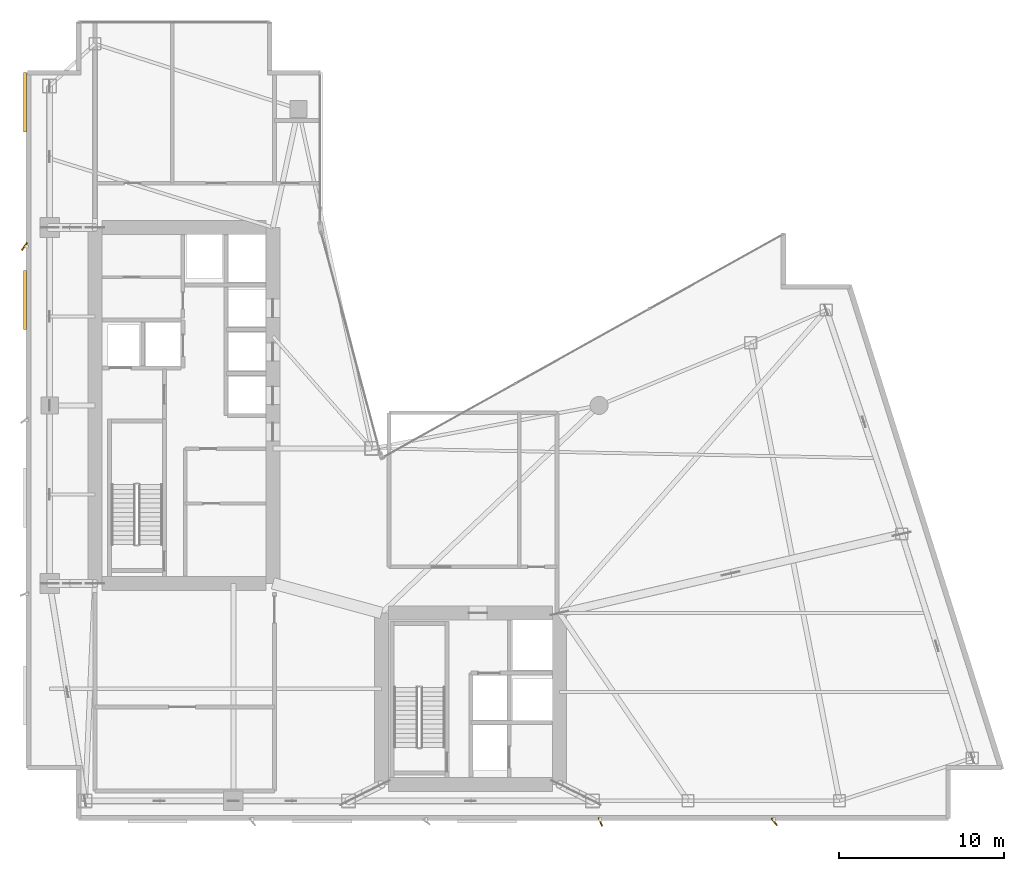
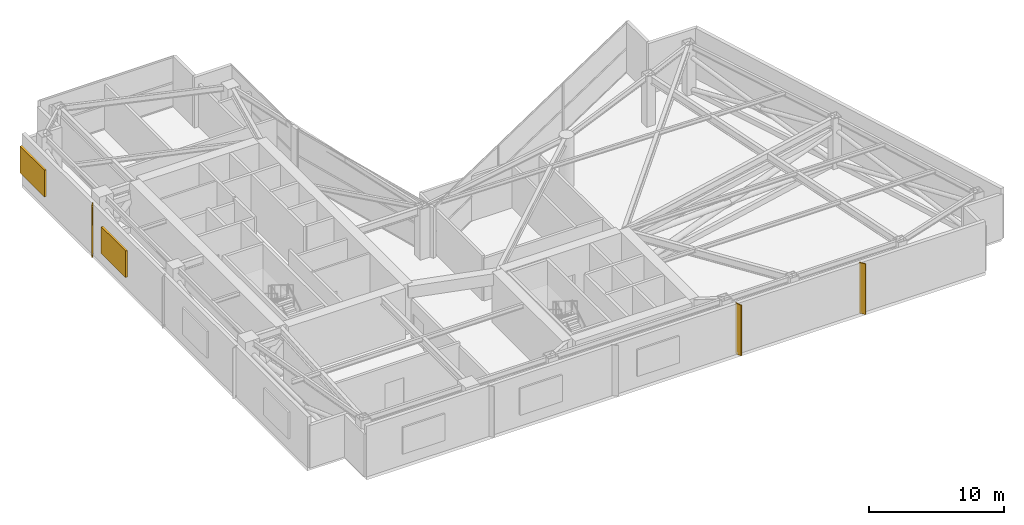
# One storey, part 19 of 19: 5 shading devices.
"""IFC4 building model written with IfcOpenShell, lengths in metres."""

from ifc_helpers import new_model, si_unit, direction, frame, origin, origin_2d, place, context, subcontext, project, spatial, rectangle, extrude, material, type_object, element, save


model = new_model("IFC4")

# Units and contexts
model_context = context("Model", 3, precision=1e-05, world=origin(), true_north=direction((0.0, 1.0)))
body_context = subcontext(model_context, "Body", "Model", "MODEL_VIEW")
ifc_project = project(units=[si_unit("LENGTHUNIT", "METRE"), si_unit("AREAUNIT", "SQUARE_METRE"), si_unit("VOLUMEUNIT", "CUBIC_METRE"), si_unit("PLANEANGLEUNIT", "RADIAN"), si_unit("MASSUNIT", "GRAM", prefix="KILO")], contexts=[model_context])

# Site, building, storey
site_placement = place(None, origin())
site = spatial("IfcSite", under=ifc_project, at=site_placement, CompositionType="ELEMENT")
building_placement = place(site_placement, origin())
building = spatial("IfcBuilding", under=site, at=building_placement, Name="Calvorn Quay Hotel", CompositionType="ELEMENT")
storey_placement = place(building_placement, frame((0.0, 0.0, 139.199951171875)))
storey = spatial("IfcBuildingStorey", under=building, at=storey_placement, Name="L34", CompositionType="ELEMENT", Elevation=139.199951171875)

# Shading devices
ifc_material_1 = material(Name="Champagne Bronze Anodised Aluminium 6063-T6", Category="aluminium")
shading_device_type_1 = type_object("IfcShadingDeviceType", Name="SHD-FIN-A1", PredefinedType="USERDEFINED", material=ifc_material_1)
shading_device_1_placement = place(storey_placement, frame((34.8798828125, 2.320068359375, 0.0), z_axis=(0.0, 0.0, 1.0), x_axis=(-0.374606593416, 0.927183854567, 0.0)))
element("IfcShadingDevice", 1, at=shading_device_1_placement, inside=storey, type_object=shading_device_type_1, Name="Diagonal Sun-Shading Fin L34-S03", ObjectType="FIN", PredefinedType="USERDEFINED", context=body_context, shape_type="SweptSolid", body=[
    extrude(rectangle(XDim=0.550048828125, YDim=0.080078125, at=origin_2d()), origin(), (0.0, 0.0, 1.0), 4.56005859375),
])
ifc_material_2 = material(Name="Champagne Bronze Anodised Aluminium 6063-T6", Category="aluminium")
shading_device_type_2 = type_object("IfcShadingDeviceType", Name="SHD-FIN-A2", PredefinedType="USERDEFINED", material=ifc_material_2)
shading_device_2_placement = place(storey_placement, frame((45.43994140625, 2.320068359375, 0.0), z_axis=(0.0, 0.0, 1.0), x_axis=(-0.615661475326, 0.788010753607, 0.0)))
element("IfcShadingDevice", 2, at=shading_device_2_placement, inside=storey, type_object=shading_device_type_2, Name="Diagonal Sun-Shading Fin L34-S04", ObjectType="FIN", PredefinedType="USERDEFINED", context=body_context, shape_type="SweptSolid", body=[
    extrude(rectangle(XDim=0.550048828125, YDim=0.080078125, at=origin_2d()), origin(), (0.0, 0.0, 1.0), 4.56005859375),
])
ifc_material_3 = material(Name="Champagne Bronze Anodised Aluminium 6063-T6", Category="aluminium")
shading_device_type_3 = type_object("IfcShadingDeviceType", Name="SHD-FIN-A3", PredefinedType="USERDEFINED", material=ifc_material_3)
shading_device_3_placement = place(storey_placement, frame((-0.080078125, 37.25, 0.0), z_axis=(0.0, 0.0, 1.0), x_axis=(0.587785252292, 0.809016994375, 0.0)))
element("IfcShadingDevice", 3, at=shading_device_3_placement, inside=storey, type_object=shading_device_type_3, Name="Diagonal Sun-Shading Fin L34-W03", ObjectType="FIN", PredefinedType="USERDEFINED", context=body_context, shape_type="SweptSolid", body=[
    extrude(rectangle(XDim=0.550048828125, YDim=0.080078125, at=origin_2d()), origin(), (0.0, 0.0, 1.0), 4.56005859375),
])
ifc_material_4 = material(Name="Anodised Aluminium 6063-T6", Category="aluminium")
shading_device_type_4 = type_object("IfcShadingDeviceType", Name="SHD-MECH-LOUVRE", PredefinedType="USERDEFINED", material=ifc_material_4)
for number, where, z_axis, x_axis, name in (
    (4, (-0.06005859375, 34.0, 1.080078125), (0.0, 0.0, 1.0), (1.0, 0.0, 0.0), "Refuge Stormproof Intake Louvre L34-W3"),
    (5, (-0.06005859375, 46.0, 1.080078125), (0.0, 0.0, 1.0), (1.0, 0.0, 0.0), "Refuge Stormproof Intake Louvre L34-W4"),
):
    element("IfcShadingDevice", number, at=place(storey_placement, frame(where, z_axis=z_axis, x_axis=x_axis)), inside=storey, type_object=shading_device_type_4, Name=name, ObjectType="LOUVRE", PredefinedType="USERDEFINED", context=body_context, shape_type="SweptSolid", body=[
        extrude(rectangle(XDim=0.179931640625, YDim=3.60009765625, at=origin_2d()), origin(), (0.0, 0.0, 1.0), 2.39990234375),
    ])

save(model, "model.ifc")
